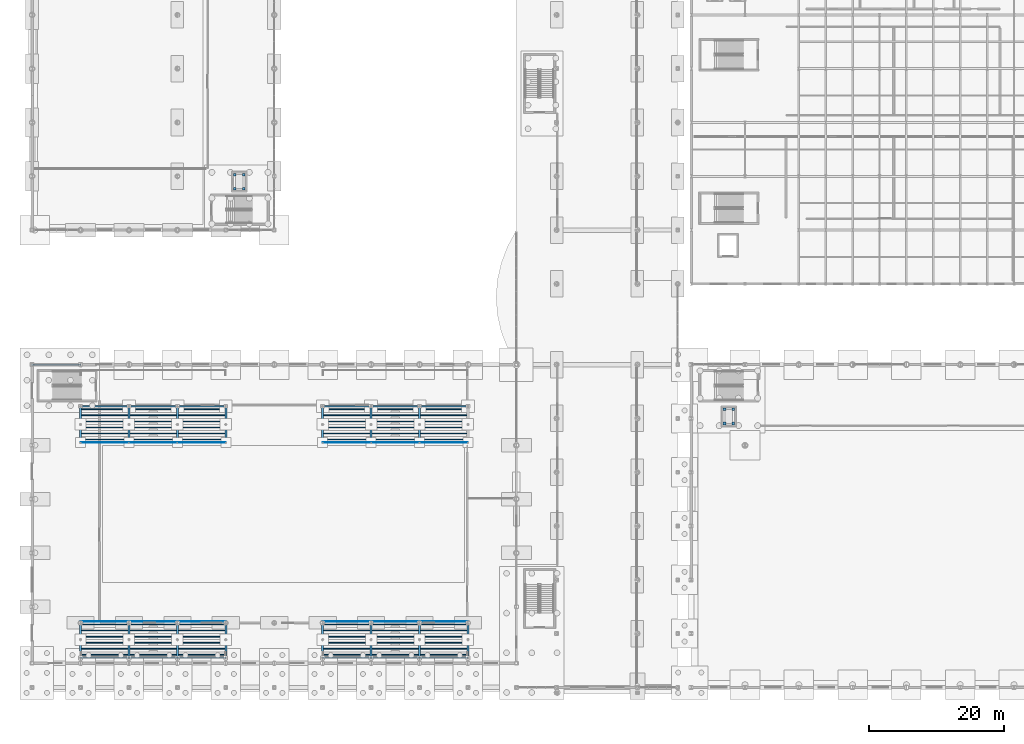
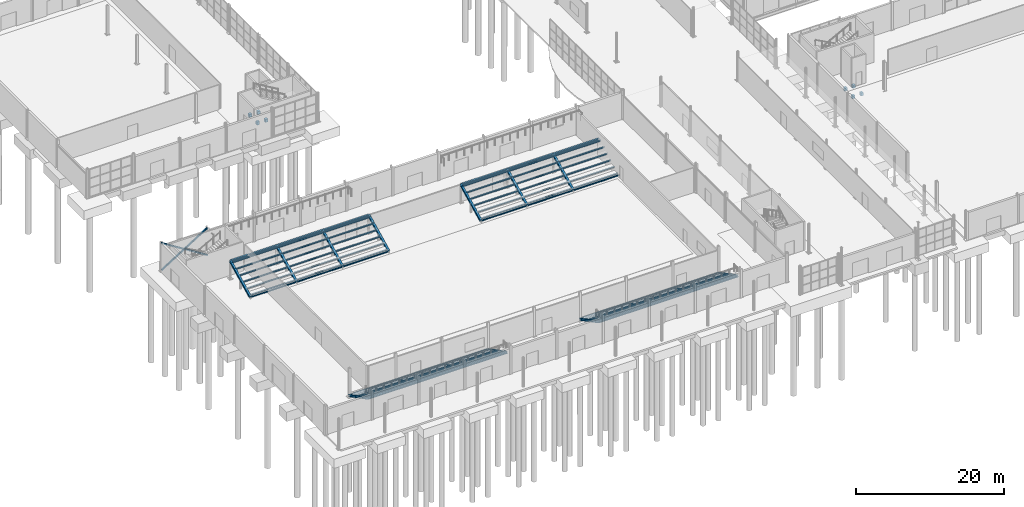
# One storey, part 30 of 101: 63 beams, 8 columns, 2 members.
"""IFC4 building model written with IfcOpenShell, lengths in metres."""

from ifc_helpers import new_model, si_unit, derived_unit, direction, frame, origin, origin_2d, place, context, subcontext, project, spatial, rectangle, hollow_rectangle, i_section, extrude, material, material_profile, profile_set, type_object, element, save


model = new_model("IFC4")

# Units and contexts
model_context = context("Model", 3, precision=1e-05, world=origin(), true_north=direction((0.0, 1.0)))
body_context = subcontext(model_context, "Body", "Model", "MODEL_VIEW")
ifc_project = project(units=[si_unit("LENGTHUNIT", "METRE"), si_unit("AREAUNIT", "SQUARE_METRE"), si_unit("VOLUMEUNIT", "CUBIC_METRE"), si_unit("PLANEANGLEUNIT", "RADIAN"), si_unit("MASSUNIT", "GRAM", prefix="KILO"), derived_unit("THERMALTRANSMITTANCEUNIT", [(si_unit("POWERUNIT", "WATT"), 1), (si_unit("LENGTHUNIT", "METRE"), -2), (si_unit("THERMODYNAMICTEMPERATUREUNIT", "KELVIN"), -1)])], contexts=[model_context])

# Site, building, storey
site_placement = place(None, origin())
site = spatial("IfcSite", under=ifc_project, at=site_placement, CompositionType="ELEMENT")
building_placement = place(site_placement, origin())
building = spatial("IfcBuilding", under=site, at=building_placement, Name="Keldorne Ridge Multi-Sports Centre", CompositionType="ELEMENT")
storey_placement = place(building_placement, origin())
storey = spatial("IfcBuildingStorey", under=building, at=storey_placement, Name="L00", CompositionType="ELEMENT", Elevation=0.0)

# Columns
ifc_material_1 = material(Name="Concrete C40/50", Category="concrete")
ifc_material_profile_1 = material_profile(ifc_material_1, rectangle(XDim=0.39990234375, YDim=0.39990234375, at=origin_2d()), Name="RC 400x400")
ifc_profile_set_1 = profile_set([ifc_material_profile_1], Name="Concrete C40/50")
column_type = type_object("IfcColumnType", Name="COL-C-25", PredefinedType="COLUMN", material=ifc_profile_set_1)
for number, where, z_axis, x_axis, name in (
    (1, (108.949951171875, 45.25, -2.14990234375), (0.0, 0.0, 1.0), (1.0, 0.0, 0.0), "Lift L03 pit foundation pier 1"),
    (2, (110.25, 45.25, -2.14990234375), (0.0, 0.0, 1.0), (1.0, 0.0, 0.0), "Lift L03 pit foundation pier 2"),
    (3, (110.25, 47.35009765625, -2.14990234375), (0.0, 0.0, 1.0), (1.0, 0.0, 0.0), "Lift L03 pit foundation pier 3"),
    (4, (108.949951171875, 47.35009765625, -2.14990234375), (0.0, 0.0, 1.0), (1.0, 0.0, 0.0), "Lift L03 pit foundation pier 4"),
    (5, (36.14990234375, 80.14990234375, -2.14990234375), (0.0, 0.0, 1.0), (1.0, 0.0, 0.0), "Lift L04 pit foundation pier 1"),
    (6, (37.449951171875, 80.14990234375, -2.14990234375), (0.0, 0.0, 1.0), (1.0, 0.0, 0.0), "Lift L04 pit foundation pier 2"),
    (7, (37.449951171875, 82.25, -2.14990234375), (0.0, 0.0, 1.0), (1.0, 0.0, 0.0), "Lift L04 pit foundation pier 3"),
    (8, (36.14990234375, 82.25, -2.14990234375), (0.0, 0.0, 1.0), (1.0, 0.0, 0.0), "Lift L04 pit foundation pier 4"),
):
    element("IfcColumn", number, at=place(storey_placement, frame(where, z_axis=z_axis, x_axis=x_axis)), inside=storey, type_object=column_type, Name=name, PredefinedType="COLUMN", context=body_context, shape_type="SweptSolid", body=[
        extrude(rectangle(XDim=0.39990234375, YDim=0.39990234375, at=origin_2d()), origin(), (0.0, 0.0, 1.0), 0.5),
    ])

# Beams
ifc_material_2 = material(Name="Steel S355", Category="steel")
ifc_material_profile_2 = material_profile(ifc_material_2, i_section(OverallWidth=0.300048828125, OverallDepth=0.31005859375, WebThickness=0.009033203125, FlangeThickness=0.015380859375, FilletRadius=0.027099609375, at=origin_2d()), Name="HEA 320")
ifc_profile_set_2 = profile_set([ifc_material_profile_2], Name="Steel S355")
beam_type_1 = type_object("IfcBeamType", Name="BM-B-18", PredefinedType="BEAM", material=ifc_profile_set_2)
for number, where, z_axis, x_axis, name in (
    (9, (13.199951171875, 15.60009765625, 0.25), (0.0, -0.888204733876, 0.459447875955), (1.0, 0.0, 0.0), "Stand Raker Beam SOUTH-01"),
    (10, (20.39990234375, 15.60009765625, 0.25), (0.0, -0.888204733876, 0.459447875955), (1.0, 0.0, 0.0), "Stand Raker Beam SOUTH-02"),
    (11, (27.60009765625, 15.60009765625, 0.25), (0.0, -0.888204733876, 0.459447875955), (1.0, 0.0, 0.0), "Stand Raker Beam SOUTH-03"),
    (12, (34.800048828125, 15.60009765625, 0.25), (0.0, -0.888204733876, 0.459447875955), (1.0, 0.0, 0.0), "Stand Raker Beam SOUTH-04"),
    (13, (49.199951171875, 15.60009765625, 0.25), (0.0, -0.888204733876, 0.459447875955), (1.0, 0.0, 0.0), "Stand Raker Beam SOUTH-05"),
    (14, (56.39990234375, 15.60009765625, 0.25), (0.0, -0.888204733876, 0.459447875955), (1.0, 0.0, 0.0), "Stand Raker Beam SOUTH-06"),
    (15, (63.60009765625, 15.60009765625, 0.25), (0.0, -0.888204733876, 0.459447875955), (1.0, 0.0, 0.0), "Stand Raker Beam SOUTH-07"),
    (16, (70.800048828125, 15.60009765625, 0.25), (0.0, -0.888204733876, 0.459447875955), (1.0, 0.0, 0.0), "Stand Raker Beam SOUTH-08"),
):
    element("IfcBeam", number, at=place(storey_placement, frame(where, z_axis=z_axis, x_axis=x_axis)), inside=storey, type_object=beam_type_1, Name=name, PredefinedType="BEAM", context=body_context, shape_type="SweptSolid", body=[
        extrude(i_section(OverallWidth=0.300048828125, OverallDepth=0.31005859375, WebThickness=0.009033203125, FlangeThickness=0.015380859375, FilletRadius=0.027099609375, at=origin_2d()), origin(), (0.0, 0.0, 1.0), 5.854736328125),
    ])
for number, where, z_axis, x_axis, name in (
    (17, (13.199951171875, 42.39990234375, 0.25), (0.0, 0.895097940432, 0.445869574017), (-1.0, 0.0, 0.0), "Stand Raker Beam NORTH-01"),
    (18, (20.39990234375, 42.39990234375, 0.25), (0.0, 0.895097940432, 0.445869574017), (-1.0, 0.0, 0.0), "Stand Raker Beam NORTH-02"),
    (19, (27.60009765625, 42.39990234375, 0.25), (0.0, 0.895097940432, 0.445869574017), (-1.0, 0.0, 0.0), "Stand Raker Beam NORTH-03"),
    (20, (34.800048828125, 42.39990234375, 0.25), (0.0, 0.895097940432, 0.445869574017), (-1.0, 0.0, 0.0), "Stand Raker Beam NORTH-04"),
    (21, (49.199951171875, 42.39990234375, 0.25), (0.0, 0.895097940432, 0.445869574017), (-1.0, 0.0, 0.0), "Stand Raker Beam NORTH-05"),
    (22, (56.39990234375, 42.39990234375, 0.25), (0.0, 0.895097940432, 0.445869574017), (-1.0, 0.0, 0.0), "Stand Raker Beam NORTH-06"),
    (23, (63.60009765625, 42.39990234375, 0.25), (0.0, 0.895097940432, 0.445869574017), (-1.0, 0.0, 0.0), "Stand Raker Beam NORTH-07"),
):
    element("IfcBeam", number, at=place(storey_placement, frame(where, z_axis=z_axis, x_axis=x_axis)), inside=storey, type_object=beam_type_1, Name=name, PredefinedType="BEAM", context=body_context, shape_type="SweptSolid", body=[
        extrude(i_section(OverallWidth=0.300048828125, OverallDepth=0.31005859375, WebThickness=0.009033203125, FlangeThickness=0.015380859375, FilletRadius=0.027099609375, at=origin_2d()), origin(), (0.0, 0.0, 1.0), 6.032958984375),
    ])
ifc_material_profile_3 = material_profile(ifc_material_2, i_section(OverallWidth=0.239990234375, OverallDepth=0.239990234375, WebThickness=0.010009765625, FlangeThickness=0.01708984375, FilletRadius=0.02099609375, at=origin_2d()), Name="HEB 240")
ifc_profile_set_3 = profile_set([ifc_material_profile_3], Name="Steel S355")
beam_type_2 = type_object("IfcBeamType", Name="BM-B-21", PredefinedType="BEAM", material=ifc_profile_set_3)
beam_1_placement = place(storey_placement, frame((13.199951171875, 10.39990234375, 2.93994140625), z_axis=(1.0, 0.0, 0.0), x_axis=(0.0, 1.0, 0.0)))
element("IfcBeam", 24, at=beam_1_placement, inside=storey, type_object=beam_type_2, Name="Stand rear tie beam SOUTH-01", PredefinedType="BEAM", context=body_context, shape_type="SweptSolid", body=[
    extrude(i_section(OverallWidth=0.239990234375, OverallDepth=0.239990234375, WebThickness=0.010009765625, FlangeThickness=0.01708984375, FilletRadius=0.02099609375, at=origin_2d()), origin(), (0.0, 0.0, 1.0), 7.199951171875),
])
beam_2_placement = place(storey_placement, frame((20.39990234375, 10.39990234375, 2.93994140625), z_axis=(1.0, 0.0, 0.0), x_axis=(0.0, 1.0, 0.0)))
element("IfcBeam", 25, at=beam_2_placement, inside=storey, type_object=beam_type_2, Name="Stand rear tie beam SOUTH-02", PredefinedType="BEAM", context=body_context, shape_type="SweptSolid", body=[
    extrude(i_section(OverallWidth=0.239990234375, OverallDepth=0.239990234375, WebThickness=0.010009765625, FlangeThickness=0.01708984375, FilletRadius=0.02099609375, at=origin_2d()), origin(), (0.0, 0.0, 1.0), 7.2001953125),
])
for number, where, z_axis, x_axis, name in (
    (26, (27.60009765625, 10.39990234375, 2.93994140625), (1.0, 0.0, 0.0), (0.0, 1.0, 0.0), "Stand rear tie beam SOUTH-03"),
    (27, (49.199951171875, 10.39990234375, 2.93994140625), (1.0, 0.0, 0.0), (0.0, 1.0, 0.0), "Stand rear tie beam SOUTH-04"),
):
    element("IfcBeam", number, at=place(storey_placement, frame(where, z_axis=z_axis, x_axis=x_axis)), inside=storey, type_object=beam_type_2, Name=name, PredefinedType="BEAM", context=body_context, shape_type="SweptSolid", body=[
        extrude(i_section(OverallWidth=0.239990234375, OverallDepth=0.239990234375, WebThickness=0.010009765625, FlangeThickness=0.01708984375, FilletRadius=0.02099609375, at=origin_2d()), origin(), (0.0, 0.0, 1.0), 7.199951171875),
    ])
beam_3_placement = place(storey_placement, frame((56.39990234375, 10.39990234375, 2.93994140625), z_axis=(1.0, 0.0, 0.0), x_axis=(0.0, 1.0, 0.0)))
element("IfcBeam", 28, at=beam_3_placement, inside=storey, type_object=beam_type_2, Name="Stand rear tie beam SOUTH-05", PredefinedType="BEAM", context=body_context, shape_type="SweptSolid", body=[
    extrude(i_section(OverallWidth=0.239990234375, OverallDepth=0.239990234375, WebThickness=0.010009765625, FlangeThickness=0.01708984375, FilletRadius=0.02099609375, at=origin_2d()), origin(), (0.0, 0.0, 1.0), 7.2001953125),
])
for number, where, z_axis, x_axis, name in (
    (29, (63.60009765625, 10.39990234375, 2.93994140625), (1.0, 0.0, 0.0), (0.0, 1.0, 0.0), "Stand rear tie beam SOUTH-06"),
    (30, (13.199951171875, 47.800048828125, 2.93994140625), (1.0, 0.0, 0.0), (0.0, 1.0, 0.0), "Stand rear tie beam NORTH-01"),
):
    element("IfcBeam", number, at=place(storey_placement, frame(where, z_axis=z_axis, x_axis=x_axis)), inside=storey, type_object=beam_type_2, Name=name, PredefinedType="BEAM", context=body_context, shape_type="SweptSolid", body=[
        extrude(i_section(OverallWidth=0.239990234375, OverallDepth=0.239990234375, WebThickness=0.010009765625, FlangeThickness=0.01708984375, FilletRadius=0.02099609375, at=origin_2d()), origin(), (0.0, 0.0, 1.0), 7.199951171875),
    ])
beam_4_placement = place(storey_placement, frame((20.39990234375, 47.800048828125, 2.93994140625), z_axis=(1.0, 0.0, 0.0), x_axis=(0.0, 1.0, 0.0)))
element("IfcBeam", 31, at=beam_4_placement, inside=storey, type_object=beam_type_2, Name="Stand rear tie beam NORTH-02", PredefinedType="BEAM", context=body_context, shape_type="SweptSolid", body=[
    extrude(i_section(OverallWidth=0.239990234375, OverallDepth=0.239990234375, WebThickness=0.010009765625, FlangeThickness=0.01708984375, FilletRadius=0.02099609375, at=origin_2d()), origin(), (0.0, 0.0, 1.0), 7.2001953125),
])
for number, where, z_axis, x_axis, name in (
    (32, (27.60009765625, 47.800048828125, 2.93994140625), (1.0, 0.0, 0.0), (0.0, 1.0, 0.0), "Stand rear tie beam NORTH-03"),
    (33, (49.199951171875, 47.800048828125, 2.93994140625), (1.0, 0.0, 0.0), (0.0, 1.0, 0.0), "Stand rear tie beam NORTH-04"),
):
    element("IfcBeam", number, at=place(storey_placement, frame(where, z_axis=z_axis, x_axis=x_axis)), inside=storey, type_object=beam_type_2, Name=name, PredefinedType="BEAM", context=body_context, shape_type="SweptSolid", body=[
        extrude(i_section(OverallWidth=0.239990234375, OverallDepth=0.239990234375, WebThickness=0.010009765625, FlangeThickness=0.01708984375, FilletRadius=0.02099609375, at=origin_2d()), origin(), (0.0, 0.0, 1.0), 7.199951171875),
    ])
beam_5_placement = place(storey_placement, frame((56.39990234375, 47.800048828125, 2.93994140625), z_axis=(1.0, 0.0, 0.0), x_axis=(0.0, 1.0, 0.0)))
element("IfcBeam", 34, at=beam_5_placement, inside=storey, type_object=beam_type_2, Name="Stand rear tie beam NORTH-05", PredefinedType="BEAM", context=body_context, shape_type="SweptSolid", body=[
    extrude(i_section(OverallWidth=0.239990234375, OverallDepth=0.239990234375, WebThickness=0.010009765625, FlangeThickness=0.01708984375, FilletRadius=0.02099609375, at=origin_2d()), origin(), (0.0, 0.0, 1.0), 7.2001953125),
])
beam_6_placement = place(storey_placement, frame((63.60009765625, 47.800048828125, 2.93994140625), z_axis=(1.0, 0.0, 0.0), x_axis=(0.0, 1.0, 0.0)))
element("IfcBeam", 35, at=beam_6_placement, inside=storey, type_object=beam_type_2, Name="Stand rear tie beam NORTH-06", PredefinedType="BEAM", context=body_context, shape_type="SweptSolid", body=[
    extrude(i_section(OverallWidth=0.239990234375, OverallDepth=0.239990234375, WebThickness=0.010009765625, FlangeThickness=0.01708984375, FilletRadius=0.02099609375, at=origin_2d()), origin(), (0.0, 0.0, 1.0), 7.199951171875),
])
ifc_material_profile_4 = material_profile(ifc_material_2, i_section(OverallWidth=0.1201171875, OverallDepth=0.239990234375, WebThickness=0.006103515625, FlangeThickness=0.009765625, FilletRadius=0.014892578125, at=origin_2d()), Name="IPE 240")
ifc_profile_set_4 = profile_set([ifc_material_profile_4], Name="Steel S355")
beam_type_3 = type_object("IfcBeamType", Name="BM-J-04", PredefinedType="JOIST", material=ifc_profile_set_4)
for number, where, z_axis, x_axis, name in (
    (36, (13.199951171875, 15.35009765625, 0.22998046875), (1.0, 0.0, 0.0), (0.0, 1.0, 0.0), "Stand tier bearer beam SOUTH-W-1"),
    (37, (49.199951171875, 15.35009765625, 0.22998046875), (1.0, 0.0, 0.0), (0.0, 1.0, 0.0), "Stand tier bearer beam SOUTH-E-1"),
    (38, (13.199951171875, 14.449951171875, 0.77001953125), (1.0, 0.0, 0.0), (0.0, 1.0, 0.0), "Stand tier bearer beam SOUTH-W-2"),
    (39, (49.199951171875, 14.449951171875, 0.77001953125), (1.0, 0.0, 0.0), (0.0, 1.0, 0.0), "Stand tier bearer beam SOUTH-E-2"),
    (40, (13.199951171875, 13.550048828125, 1.31005859375), (1.0, 0.0, 0.0), (0.0, 1.0, 0.0), "Stand tier bearer beam SOUTH-W-3"),
    (41, (49.199951171875, 13.550048828125, 1.31005859375), (1.0, 0.0, 0.0), (0.0, 1.0, 0.0), "Stand tier bearer beam SOUTH-E-3"),
    (42, (13.199951171875, 12.64990234375, 1.85009765625), (1.0, 0.0, 0.0), (0.0, 1.0, 0.0), "Stand tier bearer beam SOUTH-W-4"),
    (43, (49.199951171875, 12.64990234375, 1.85009765625), (1.0, 0.0, 0.0), (0.0, 1.0, 0.0), "Stand tier bearer beam SOUTH-E-4"),
    (44, (13.199951171875, 11.75, 2.389892578125), (1.0, 0.0, 0.0), (0.0, 1.0, 0.0), "Stand tier bearer beam SOUTH-W-5"),
    (45, (49.199951171875, 11.75, 2.389892578125), (1.0, 0.0, 0.0), (0.0, 1.0, 0.0), "Stand tier bearer beam SOUTH-E-5"),
    (46, (13.199951171875, 10.85009765625, 2.929931640625), (1.0, 0.0, 0.0), (0.0, 1.0, 0.0), "Stand tier bearer beam SOUTH-W-6"),
    (47, (49.199951171875, 10.85009765625, 2.929931640625), (1.0, 0.0, 0.0), (0.0, 1.0, 0.0), "Stand tier bearer beam SOUTH-E-6"),
    (48, (13.199951171875, 42.85009765625, 0.22998046875), (1.0, 0.0, 0.0), (0.0, 1.0, 0.0), "Stand tier bearer beam NORTH-W-1"),
    (49, (49.199951171875, 42.85009765625, 0.22998046875), (1.0, 0.0, 0.0), (0.0, 1.0, 0.0), "Stand tier bearer beam NORTH-E-1"),
    (50, (13.199951171875, 43.75, 0.77001953125), (1.0, 0.0, 0.0), (0.0, 1.0, 0.0), "Stand tier bearer beam NORTH-W-2"),
    (51, (49.199951171875, 43.75, 0.77001953125), (1.0, 0.0, 0.0), (0.0, 1.0, 0.0), "Stand tier bearer beam NORTH-E-2"),
    (52, (13.199951171875, 44.64990234375, 1.31005859375), (1.0, 0.0, 0.0), (0.0, 1.0, 0.0), "Stand tier bearer beam NORTH-W-3"),
    (53, (49.199951171875, 44.64990234375, 1.31005859375), (1.0, 0.0, 0.0), (0.0, 1.0, 0.0), "Stand tier bearer beam NORTH-E-3"),
    (54, (13.199951171875, 45.550048828125, 1.85009765625), (1.0, 0.0, 0.0), (0.0, 1.0, 0.0), "Stand tier bearer beam NORTH-W-4"),
    (55, (49.199951171875, 45.550048828125, 1.85009765625), (1.0, 0.0, 0.0), (0.0, 1.0, 0.0), "Stand tier bearer beam NORTH-E-4"),
    (56, (13.199951171875, 46.449951171875, 2.389892578125), (1.0, 0.0, 0.0), (0.0, 1.0, 0.0), "Stand tier bearer beam NORTH-W-5"),
    (57, (49.199951171875, 46.449951171875, 2.389892578125), (1.0, 0.0, 0.0), (0.0, 1.0, 0.0), "Stand tier bearer beam NORTH-E-5"),
    (58, (13.199951171875, 47.35009765625, 2.929931640625), (1.0, 0.0, 0.0), (0.0, 1.0, 0.0), "Stand tier bearer beam NORTH-W-6"),
    (59, (49.199951171875, 47.35009765625, 2.929931640625), (1.0, 0.0, 0.0), (0.0, 1.0, 0.0), "Stand tier bearer beam NORTH-E-6"),
):
    element("IfcBeam", number, at=place(storey_placement, frame(where, z_axis=z_axis, x_axis=x_axis)), inside=storey, type_object=beam_type_3, Name=name, PredefinedType="JOIST", context=body_context, shape_type="SweptSolid", body=[
        extrude(i_section(OverallWidth=0.1201171875, OverallDepth=0.239990234375, WebThickness=0.006103515625, FlangeThickness=0.009765625, FilletRadius=0.014892578125, at=origin_2d()), origin(), (0.0, 0.0, 1.0), 21.60009765625),
    ])
ifc_material_profile_5 = material_profile(ifc_material_2, i_section(OverallWidth=0.072998046875, OverallDepth=0.139892578125, WebThickness=0.004638671875, FlangeThickness=0.0068359375, FilletRadius=0.007080078125, at=origin_2d()), Name="IPE 140")
ifc_profile_set_5 = profile_set([ifc_material_profile_5], Name="Steel S355")
beam_type_4 = type_object("IfcBeamType", Name="BM-J-09", PredefinedType="JOIST", material=ifc_profile_set_5)
beam_7_placement = place(storey_placement, frame((13.199951171875, 15.800048828125, 0.2099609375), z_axis=(1.0, 0.0, 0.0), x_axis=(0.0, 1.0, 0.0)))
element("IfcBeam", 60, at=beam_7_placement, inside=storey, type_object=beam_type_4, Name="Stand front tie beam SOUTH-01", PredefinedType="JOIST", context=body_context, shape_type="SweptSolid", body=[
    extrude(i_section(OverallWidth=0.072998046875, OverallDepth=0.139892578125, WebThickness=0.004638671875, FlangeThickness=0.0068359375, FilletRadius=0.007080078125, at=origin_2d()), origin(), (0.0, 0.0, 1.0), 7.199951171875),
])
beam_8_placement = place(storey_placement, frame((20.39990234375, 15.800048828125, 0.2099609375), z_axis=(1.0, 0.0, 0.0), x_axis=(0.0, 1.0, 0.0)))
element("IfcBeam", 61, at=beam_8_placement, inside=storey, type_object=beam_type_4, Name="Stand front tie beam SOUTH-02", PredefinedType="JOIST", context=body_context, shape_type="SweptSolid", body=[
    extrude(i_section(OverallWidth=0.072998046875, OverallDepth=0.139892578125, WebThickness=0.004638671875, FlangeThickness=0.0068359375, FilletRadius=0.007080078125, at=origin_2d()), origin(), (0.0, 0.0, 1.0), 7.2001953125),
])
for number, where, z_axis, x_axis, name in (
    (62, (27.60009765625, 15.800048828125, 0.2099609375), (1.0, 0.0, 0.0), (0.0, 1.0, 0.0), "Stand front tie beam SOUTH-03"),
    (63, (49.199951171875, 15.800048828125, 0.2099609375), (1.0, 0.0, 0.0), (0.0, 1.0, 0.0), "Stand front tie beam SOUTH-04"),
):
    element("IfcBeam", number, at=place(storey_placement, frame(where, z_axis=z_axis, x_axis=x_axis)), inside=storey, type_object=beam_type_4, Name=name, PredefinedType="JOIST", context=body_context, shape_type="SweptSolid", body=[
        extrude(i_section(OverallWidth=0.072998046875, OverallDepth=0.139892578125, WebThickness=0.004638671875, FlangeThickness=0.0068359375, FilletRadius=0.007080078125, at=origin_2d()), origin(), (0.0, 0.0, 1.0), 7.199951171875),
    ])
beam_9_placement = place(storey_placement, frame((56.39990234375, 15.800048828125, 0.2099609375), z_axis=(1.0, 0.0, 0.0), x_axis=(0.0, 1.0, 0.0)))
element("IfcBeam", 64, at=beam_9_placement, inside=storey, type_object=beam_type_4, Name="Stand front tie beam SOUTH-05", PredefinedType="JOIST", context=body_context, shape_type="SweptSolid", body=[
    extrude(i_section(OverallWidth=0.072998046875, OverallDepth=0.139892578125, WebThickness=0.004638671875, FlangeThickness=0.0068359375, FilletRadius=0.007080078125, at=origin_2d()), origin(), (0.0, 0.0, 1.0), 7.2001953125),
])
for number, where, z_axis, x_axis, name in (
    (65, (63.60009765625, 15.800048828125, 0.2099609375), (1.0, 0.0, 0.0), (0.0, 1.0, 0.0), "Stand front tie beam SOUTH-06"),
    (66, (13.199951171875, 42.39990234375, 0.2099609375), (1.0, 0.0, 0.0), (0.0, 1.0, 0.0), "Stand front tie beam NORTH-01"),
):
    element("IfcBeam", number, at=place(storey_placement, frame(where, z_axis=z_axis, x_axis=x_axis)), inside=storey, type_object=beam_type_4, Name=name, PredefinedType="JOIST", context=body_context, shape_type="SweptSolid", body=[
        extrude(i_section(OverallWidth=0.072998046875, OverallDepth=0.139892578125, WebThickness=0.004638671875, FlangeThickness=0.0068359375, FilletRadius=0.007080078125, at=origin_2d()), origin(), (0.0, 0.0, 1.0), 7.199951171875),
    ])
beam_10_placement = place(storey_placement, frame((20.39990234375, 42.39990234375, 0.2099609375), z_axis=(1.0, 0.0, 0.0), x_axis=(0.0, 1.0, 0.0)))
element("IfcBeam", 67, at=beam_10_placement, inside=storey, type_object=beam_type_4, Name="Stand front tie beam NORTH-02", PredefinedType="JOIST", context=body_context, shape_type="SweptSolid", body=[
    extrude(i_section(OverallWidth=0.072998046875, OverallDepth=0.139892578125, WebThickness=0.004638671875, FlangeThickness=0.0068359375, FilletRadius=0.007080078125, at=origin_2d()), origin(), (0.0, 0.0, 1.0), 7.2001953125),
])
for number, where, z_axis, x_axis, name in (
    (68, (27.60009765625, 42.39990234375, 0.2099609375), (1.0, 0.0, 0.0), (0.0, 1.0, 0.0), "Stand front tie beam NORTH-03"),
    (69, (49.199951171875, 42.39990234375, 0.2099609375), (1.0, 0.0, 0.0), (0.0, 1.0, 0.0), "Stand front tie beam NORTH-04"),
):
    element("IfcBeam", number, at=place(storey_placement, frame(where, z_axis=z_axis, x_axis=x_axis)), inside=storey, type_object=beam_type_4, Name=name, PredefinedType="JOIST", context=body_context, shape_type="SweptSolid", body=[
        extrude(i_section(OverallWidth=0.072998046875, OverallDepth=0.139892578125, WebThickness=0.004638671875, FlangeThickness=0.0068359375, FilletRadius=0.007080078125, at=origin_2d()), origin(), (0.0, 0.0, 1.0), 7.199951171875),
    ])
beam_11_placement = place(storey_placement, frame((56.39990234375, 42.39990234375, 0.2099609375), z_axis=(1.0, 0.0, 0.0), x_axis=(0.0, 1.0, 0.0)))
element("IfcBeam", 70, at=beam_11_placement, inside=storey, type_object=beam_type_4, Name="Stand front tie beam NORTH-05", PredefinedType="JOIST", context=body_context, shape_type="SweptSolid", body=[
    extrude(i_section(OverallWidth=0.072998046875, OverallDepth=0.139892578125, WebThickness=0.004638671875, FlangeThickness=0.0068359375, FilletRadius=0.007080078125, at=origin_2d()), origin(), (0.0, 0.0, 1.0), 7.2001953125),
])
beam_12_placement = place(storey_placement, frame((63.60009765625, 42.39990234375, 0.2099609375), z_axis=(1.0, 0.0, 0.0), x_axis=(0.0, 1.0, 0.0)))
element("IfcBeam", 71, at=beam_12_placement, inside=storey, type_object=beam_type_4, Name="Stand front tie beam NORTH-06", PredefinedType="JOIST", context=body_context, shape_type="SweptSolid", body=[
    extrude(i_section(OverallWidth=0.072998046875, OverallDepth=0.139892578125, WebThickness=0.004638671875, FlangeThickness=0.0068359375, FilletRadius=0.007080078125, at=origin_2d()), origin(), (0.0, 0.0, 1.0), 7.199951171875),
])

# Members
ifc_material_profile_6 = material_profile(ifc_material_2, hollow_rectangle(XDim=0.219970703125, YDim=0.219970703125, WallThickness=0.012451171875, InnerFilletRadius=0.012451171875, OuterFilletRadius=0.02490234375, at=origin_2d()), Name="SHS 220x220x12.5")
ifc_profile_set_6 = profile_set([ifc_material_profile_6], Name="Steel S355")
member_type = type_object("IfcMemberType", Name="MEM-WB-05", PredefinedType="BRACE", material=ifc_profile_set_6)
for number, where, z_axis, x_axis, name in (
    (72, (6.0, 54.0, 0.14990234375), (0.847996688584, 0.0, 0.530001524668), (0.0, 1.0, 0.0), "Perimeter vertical X-brace V1N-W-A"),
    (73, (6.0, 54.0, 4.64990234375), (0.847996688584, 0.0, -0.530001524668), (0.0, 1.0, 0.0), "Perimeter vertical X-brace V1N-W-B"),
):
    element("IfcMember", number, at=place(storey_placement, frame(where, z_axis=z_axis, x_axis=x_axis)), inside=storey, type_object=member_type, Name=name, PredefinedType="BRACE", context=body_context, shape_type="SweptSolid", body=[
        extrude(hollow_rectangle(XDim=0.219970703125, YDim=0.219970703125, WallThickness=0.012451171875, InnerFilletRadius=0.012451171875, OuterFilletRadius=0.02490234375, at=origin_2d()), origin(), (0.0, 0.0, 1.0), 8.490478515625),
    ])

save(model, "model.ifc")
